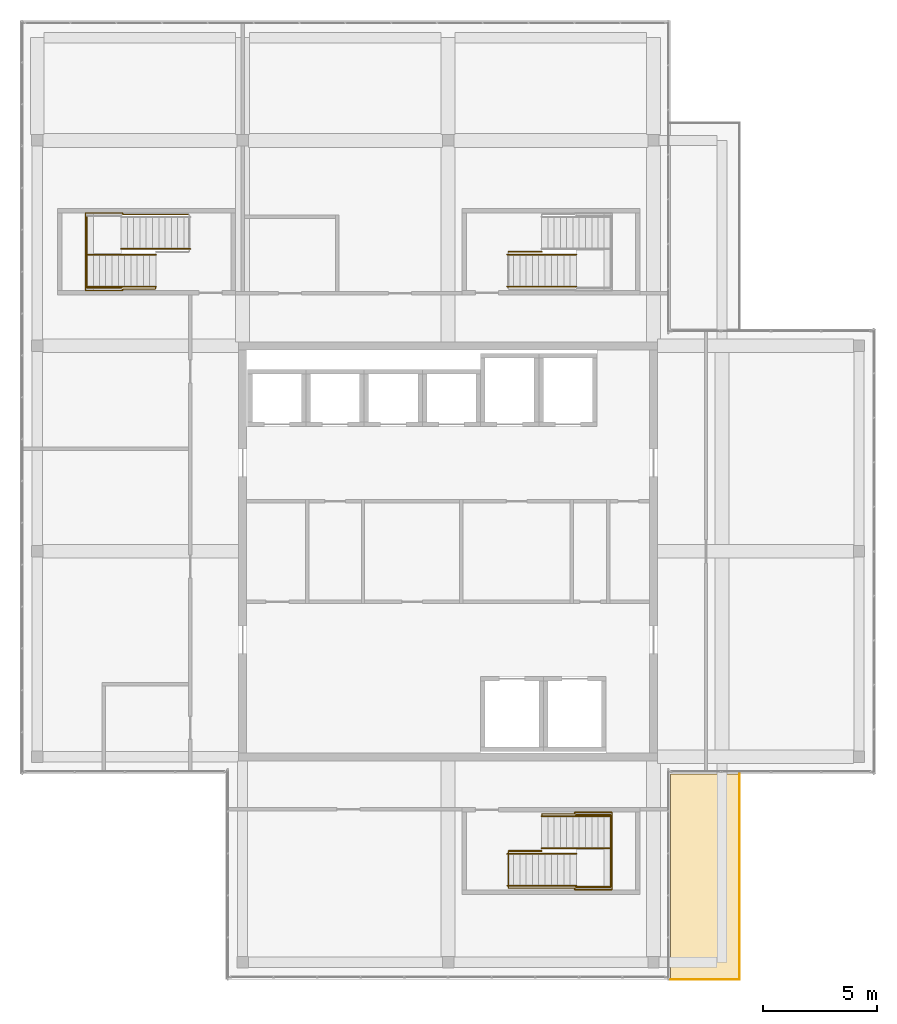
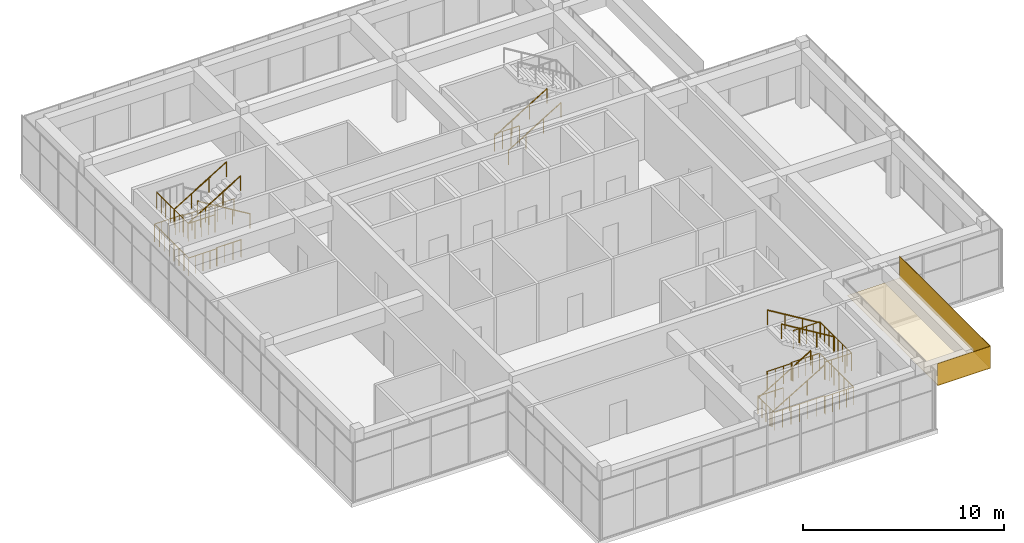
# One storey, part 35 of 36: 18 railings, 2 coverings.
"""IFC4 building model written with IfcOpenShell, lengths in metres."""

from ifc_helpers import new_model, si_unit, direction, frame, origin, origin_2d, place, context, subcontext, project, spatial, polyline, circle, outline, extrude, material, layer, layer_set, type_object, element, save


model = new_model("IFC4")

# Units and contexts
model_context = context("Model", 3, precision=1e-05, world=origin(), true_north=direction((0.0, 1.0)))
body_context = subcontext(model_context, "Body", "Model", "MODEL_VIEW")
ifc_project = project(units=[si_unit("LENGTHUNIT", "METRE"), si_unit("AREAUNIT", "SQUARE_METRE"), si_unit("VOLUMEUNIT", "CUBIC_METRE"), si_unit("PLANEANGLEUNIT", "RADIAN"), si_unit("MASSUNIT", "GRAM", prefix="KILO")], contexts=[model_context])

# Site, building, storey
site_placement = place(None, origin())
site = spatial("IfcSite", under=ifc_project, at=site_placement, CompositionType="ELEMENT")
building_placement = place(site_placement, origin())
building = spatial("IfcBuilding", under=site, at=building_placement, Name="Tuart Plaza Theatre", CompositionType="ELEMENT")
storey_placement = place(building_placement, frame((0.0, 0.0, 61.5)))
storey = spatial("IfcBuildingStorey", under=building, at=storey_placement, Name="L15", CompositionType="ELEMENT", Elevation=61.5)

# Coverings
ifc_material_1 = material(Name="Zinc")
ifc_layer_1 = layer(ifc_material_1, 0.02490234375)
ifc_layer_set_1 = layer_set([ifc_layer_1], Name="COVERING-ZINC-FASCIA25")
covering_type_1 = type_object("IfcCoveringType", Name="COVERING-ZINC-FASCIA25", PredefinedType="CLADDING", material=ifc_layer_set_1)
covering_1_placement = place(storey_placement, frame((0.0, 0.0, 2.655029296875)))
element("IfcCovering", 1, at=covering_1_placement, inside=storey, type_object=covering_type_1, Name="CL97", PredefinedType="CLADDING", context=body_context, shape_type="SweptSolid", body=[
    extrude(outline(polyline([(141.72509765625, 55.249755859375), (141.75, 55.249755859375), (141.75, 55.249755859375), (141.75, 55.249755859375), (141.75, 55.249755859375), (141.75, 55.25), (141.750244140625, 55.25), (141.750244140625, 55.25), (141.750244140625, 55.25), (141.750244140625, 55.25), (144.75, 55.25), (144.75, 64.249755859375), (144.77490234375, 64.249755859375), (144.77490234375, 55.22509765625), (141.72509765625, 55.22509765625), (141.72509765625, 55.249755859375)])), origin(), (0.0, 0.0, 1.0), 1.344970703125),
])
ifc_material_2 = material(Name="Zinc")
ifc_layer_2 = layer(ifc_material_2, 0.02490234375)
ifc_layer_set_2 = layer_set([ifc_layer_2], Name="COVERING-ZINC-SOFFIT25")
covering_type_2 = type_object("IfcCoveringType", Name="COVERING-ZINC-SOFFIT25", PredefinedType="CLADDING", material=ifc_layer_set_2)
covering_2_placement = place(storey_placement, frame((0.0, 0.0, 2.655029296875)))
element("IfcCovering", 2, at=covering_2_placement, inside=storey, type_object=covering_type_2, Name="CL96", PredefinedType="CLADDING", context=body_context, shape_type="SweptSolid", body=[
    extrude(outline(polyline([(144.75, 55.25), (141.75, 55.25), (141.75, 64.25), (144.75, 64.25), (144.75, 55.25)])), origin(), (0.0, 0.0, 1.0), 0.02490234375),
])

# Railings
ifc_material_3 = material(Name="Steel Grade C350L0", Category="steel")
railing_type_1 = type_object("IfcRailingType", Name="RAILING Guard 1100", PredefinedType="GUARDRAIL", material=ifc_material_3)
railing_1_placement = place(storey_placement, frame((134.655029296875, 60.875, 0.0)))
element("IfcRailing", 3, at=railing_1_placement, inside=storey, type_object=railing_type_1, Name="GR269", PredefinedType="GUARDRAIL", context=body_context, shape_type="SweptSolid", body=[
    extrude(circle(Radius=0.02490234375, at=origin_2d()), frame((0.0, 0.0, 1.0751953125), z_axis=(1.0, 0.0, 0.0), x_axis=(0.0, 1.0, 0.0)), (0.0, 0.0, 1.0), 1.455078125),
    extrude(circle(Radius=0.02001953125, at=origin_2d()), origin(), (0.0, 0.0, 1.0), 1.050048828125),
    extrude(circle(Radius=0.02001953125, at=origin_2d()), frame((0.485107421875, 0.0, 0.0)), (0.0, 0.0, 1.0), 1.050048828125),
    extrude(circle(Radius=0.02001953125, at=origin_2d()), frame((0.969970703125, 0.0, 0.0)), (0.0, 0.0, 1.0), 1.050048828125),
    extrude(circle(Radius=0.02001953125, at=origin_2d()), frame((1.455078125, 0.0, 0.0)), (0.0, 0.0, 1.0), 1.050048828125),
])
railing_2_placement = place(storey_placement, frame((136.114990234375, 62.455078125, 0.0)))
element("IfcRailing", 4, at=railing_2_placement, inside=storey, type_object=railing_type_1, Name="GR270", PredefinedType="GUARDRAIL", context=body_context, shape_type="SweptSolid", body=[
    extrude(circle(Radius=0.02490234375, at=origin_2d()), frame((0.0, 0.0, 1.0751953125), z_axis=(0.0, 1.0, 0.0), x_axis=(-1.0, 0.0, 0.0)), (0.0, 0.0, 1.0), 0.044921875),
    extrude(circle(Radius=0.02490234375, at=origin_2d()), frame((0.0, 0.044921875, 1.0751953125), z_axis=(1.0, 0.0, 0.0), x_axis=(0.0, 1.0, 0.0)), (0.0, 0.0, 1.0), 1.43505859375),
    extrude(circle(Radius=0.02490234375, at=origin_2d()), frame((1.43505859375, 0.044921875, 1.0751953125), z_axis=(0.0, 1.0, 0.0), x_axis=(-1.0, 0.0, 0.0)), (0.0, 0.0, 1.0), 0.074951171875),
    extrude(circle(Radius=0.02490234375, at=origin_2d()), frame((1.43505859375, 0.119873046875, 1.0751953125), z_axis=(1.0, 0.0, 0.0), x_axis=(0.0, 1.0, 0.0)), (0.0, 0.0, 1.0), 1.6298828125),
    extrude(circle(Radius=0.02490234375, at=origin_2d()), frame((3.06494140625, 0.119873046875, 1.0751953125), z_axis=(0.0, -1.0, 0.0), x_axis=(1.0, 0.0, 0.0)), (0.0, 0.0, 1.0), 3.39990234375),
    extrude(circle(Radius=0.02490234375, at=origin_2d()), frame((3.06494140625, -3.280029296875, 1.0751953125), z_axis=(-1.0, 0.0, 0.0), x_axis=(0.0, -1.0, 0.0)), (0.0, 0.0, 1.0), 1.6298828125),
    extrude(circle(Radius=0.02490234375, at=origin_2d()), frame((1.43505859375, -3.280029296875, 1.0751953125), z_axis=(0.0, 1.0, 0.0), x_axis=(-1.0, 0.0, 0.0)), (0.0, 0.0, 1.0), 0.074951171875),
    extrude(circle(Radius=0.02490234375, at=origin_2d()), frame((1.43505859375, -3.205078125, 1.0751953125), z_axis=(-1.0, 0.0, 0.0), x_axis=(0.0, -1.0, 0.0)), (0.0, 0.0, 1.0), 2.89501953125),
    extrude(circle(Radius=0.02490234375, at=origin_2d()), frame((-1.4599609375, -3.205078125, 1.0751953125), z_axis=(0.0, 1.0, 0.0), x_axis=(-1.0, 0.0, 0.0)), (0.0, 0.0, 1.0), 1.625),
    extrude(circle(Radius=0.02001953125, at=origin_2d()), origin(), (0.0, 0.0, 1.0), 1.050048828125),
    extrude(circle(Radius=0.02001953125, at=origin_2d()), frame((0.0, 0.044921875, 0.0)), (0.0, 0.0, 1.0), 1.050048828125),
    extrude(circle(Radius=0.02001953125, at=origin_2d()), frame((0.478271484375, 0.044921875, 0.0)), (0.0, 0.0, 1.0), 1.050048828125),
    extrude(circle(Radius=0.02001953125, at=origin_2d()), frame((0.956787109375, 0.044921875, 0.0)), (0.0, 0.0, 1.0), 1.050048828125),
    extrude(circle(Radius=0.02001953125, at=origin_2d()), frame((1.43505859375, 0.044921875, 0.0)), (0.0, 0.0, 1.0), 1.050048828125),
    extrude(circle(Radius=0.02001953125, at=origin_2d()), frame((1.43505859375, 0.119873046875, 0.0)), (0.0, 0.0, 1.0), 1.050048828125),
    extrude(circle(Radius=0.02001953125, at=origin_2d()), frame((1.842529296875, 0.119873046875, 0.0)), (0.0, 0.0, 1.0), 1.050048828125),
    extrude(circle(Radius=0.02001953125, at=origin_2d()), frame((2.25, 0.119873046875, 0.0)), (0.0, 0.0, 1.0), 1.050048828125),
    extrude(circle(Radius=0.02001953125, at=origin_2d()), frame((2.657470703125, 0.119873046875, 0.0)), (0.0, 0.0, 1.0), 1.050048828125),
    extrude(circle(Radius=0.02001953125, at=origin_2d()), frame((3.06494140625, 0.119873046875, 0.0)), (0.0, 0.0, 1.0), 1.050048828125),
    extrude(circle(Radius=0.02001953125, at=origin_2d()), frame((3.06494140625, -0.36572265625, 0.0)), (0.0, 0.0, 1.0), 1.050048828125),
    extrude(circle(Radius=0.02001953125, at=origin_2d()), frame((3.06494140625, -0.8515625, 0.0)), (0.0, 0.0, 1.0), 1.050048828125),
    extrude(circle(Radius=0.02001953125, at=origin_2d()), frame((3.06494140625, -1.337158203125, 0.0)), (0.0, 0.0, 1.0), 1.050048828125),
    extrude(circle(Radius=0.02001953125, at=origin_2d()), frame((3.06494140625, -1.822998046875, 0.0)), (0.0, 0.0, 1.0), 1.050048828125),
    extrude(circle(Radius=0.02001953125, at=origin_2d()), frame((3.06494140625, -2.30859375, 0.0)), (0.0, 0.0, 1.0), 1.050048828125),
    extrude(circle(Radius=0.02001953125, at=origin_2d()), frame((3.06494140625, -2.79443359375, 0.0)), (0.0, 0.0, 1.0), 1.050048828125),
    extrude(circle(Radius=0.02001953125, at=origin_2d()), frame((3.06494140625, -3.280029296875, 0.0)), (0.0, 0.0, 1.0), 1.050048828125),
    extrude(circle(Radius=0.02001953125, at=origin_2d()), frame((2.657470703125, -3.280029296875, 0.0)), (0.0, 0.0, 1.0), 1.050048828125),
    extrude(circle(Radius=0.02001953125, at=origin_2d()), frame((2.25, -3.280029296875, 0.0)), (0.0, 0.0, 1.0), 1.050048828125),
    extrude(circle(Radius=0.02001953125, at=origin_2d()), frame((1.842529296875, -3.280029296875, 0.0)), (0.0, 0.0, 1.0), 1.050048828125),
    extrude(circle(Radius=0.02001953125, at=origin_2d()), frame((1.43505859375, -3.280029296875, 0.0)), (0.0, 0.0, 1.0), 1.050048828125),
    extrude(circle(Radius=0.02001953125, at=origin_2d()), frame((1.43505859375, -3.205078125, 0.0)), (0.0, 0.0, 1.0), 1.050048828125),
    extrude(circle(Radius=0.02001953125, at=origin_2d()), frame((0.95263671875, -3.205078125, 0.0)), (0.0, 0.0, 1.0), 1.050048828125),
    extrude(circle(Radius=0.02001953125, at=origin_2d()), frame((0.469970703125, -3.205078125, 0.0)), (0.0, 0.0, 1.0), 1.050048828125),
    extrude(circle(Radius=0.02001953125, at=origin_2d()), frame((-0.012451171875, -3.205078125, 0.0)), (0.0, 0.0, 1.0), 1.050048828125),
    extrude(circle(Radius=0.02001953125, at=origin_2d()), frame((-0.494873046875, -3.205078125, 0.0)), (0.0, 0.0, 1.0), 1.050048828125),
    extrude(circle(Radius=0.02001953125, at=origin_2d()), frame((-0.9775390625, -3.205078125, 0.0)), (0.0, 0.0, 1.0), 1.050048828125),
    extrude(circle(Radius=0.02001953125, at=origin_2d()), frame((-1.4599609375, -3.205078125, 0.0)), (0.0, 0.0, 1.0), 1.050048828125),
    extrude(circle(Radius=0.02001953125, at=origin_2d()), frame((-1.4599609375, -2.798828125, 0.0)), (0.0, 0.0, 1.0), 1.050048828125),
    extrude(circle(Radius=0.02001953125, at=origin_2d()), frame((-1.4599609375, -2.392578125, 0.0)), (0.0, 0.0, 1.0), 1.050048828125),
    extrude(circle(Radius=0.02001953125, at=origin_2d()), frame((-1.4599609375, -1.986328125, 0.0)), (0.0, 0.0, 1.0), 1.050048828125),
    extrude(circle(Radius=0.02001953125, at=origin_2d()), frame((-1.4599609375, -1.580078125, 0.0)), (0.0, 0.0, 1.0), 1.050048828125),
])
railing_3_placement = place(storey_placement, frame((137.60009765625, 59.300048828125, 2.0)))
element("IfcRailing", 5, at=railing_3_placement, inside=storey, type_object=railing_type_1, Name="GR276", PredefinedType="GUARDRAIL", context=body_context, shape_type="SweptSolid", body=[
    extrude(circle(Radius=0.02490234375, at=origin_2d()), frame((0.0, 0.0, 1.0751953125), z_axis=(1.0, 0.0, 0.0), x_axis=(0.0, 1.0, 0.0)), (0.0, 0.0, 1.0), 1.52978515625),
    extrude(circle(Radius=0.02001953125, at=origin_2d()), origin(), (0.0, 0.0, 1.0), 1.050048828125),
    extrude(circle(Radius=0.02001953125, at=origin_2d()), frame((0.38232421875, 0.0, 0.0)), (0.0, 0.0, 1.0), 1.050048828125),
    extrude(circle(Radius=0.02001953125, at=origin_2d()), frame((0.764892578125, 0.0, 0.0)), (0.0, 0.0, 1.0), 1.050048828125),
    extrude(circle(Radius=0.02001953125, at=origin_2d()), frame((1.1474609375, 0.0, 0.0)), (0.0, 0.0, 1.0), 1.050048828125),
    extrude(circle(Radius=0.02001953125, at=origin_2d()), frame((1.52978515625, 0.0, 0.0)), (0.0, 0.0, 1.0), 1.050048828125),
])
railing_4_placement = place(storey_placement, frame((139.1298828125, 59.300048828125, 2.0)))
element("IfcRailing", 6, at=railing_4_placement, inside=storey, type_object=railing_type_1, Name="GR277", PredefinedType="GUARDRAIL", context=body_context, shape_type="SweptSolid", body=[
    extrude(circle(Radius=0.02490234375, at=origin_2d()), frame((0.0, 0.0, 1.0751953125), z_axis=(0.0, 1.0, 0.0), x_axis=(-1.0, 0.0, 0.0)), (0.0, 0.0, 1.0), 3.14990234375),
    extrude(circle(Radius=0.02001953125, at=origin_2d()), origin(), (0.0, 0.0, 1.0), 1.050048828125),
    extrude(circle(Radius=0.02001953125, at=origin_2d()), frame((0.0, 0.449951171875, 0.0)), (0.0, 0.0, 1.0), 1.050048828125),
    extrude(circle(Radius=0.02001953125, at=origin_2d()), frame((0.0, 0.89990234375, 0.0)), (0.0, 0.0, 1.0), 1.050048828125),
    extrude(circle(Radius=0.02001953125, at=origin_2d()), frame((0.0, 1.349853515625, 0.0)), (0.0, 0.0, 1.0), 1.050048828125),
    extrude(circle(Radius=0.02001953125, at=origin_2d()), frame((0.0, 1.800048828125, 0.0)), (0.0, 0.0, 1.0), 1.050048828125),
    extrude(circle(Radius=0.02001953125, at=origin_2d()), frame((0.0, 2.25, 0.0)), (0.0, 0.0, 1.0), 1.050048828125),
    extrude(circle(Radius=0.02001953125, at=origin_2d()), frame((0.0, 2.699951171875, 0.0)), (0.0, 0.0, 1.0), 1.050048828125),
    extrude(circle(Radius=0.02001953125, at=origin_2d()), frame((0.0, 3.14990234375, 0.0)), (0.0, 0.0, 1.0), 1.050048828125),
])
railing_5_placement = place(storey_placement, frame((139.1298828125, 62.449951171875, 2.0)))
element("IfcRailing", 7, at=railing_5_placement, inside=storey, type_object=railing_type_1, Name="GR278", PredefinedType="GUARDRAIL", context=body_context, shape_type="SweptSolid", body=[
    extrude(circle(Radius=0.02490234375, at=origin_2d()), frame((0.0, 0.0, 1.0751953125), z_axis=(-1.0, 0.0, 0.0), x_axis=(0.0, -1.0, 0.0)), (0.0, 0.0, 1.0), 1.52978515625),
    extrude(circle(Radius=0.02001953125, at=origin_2d()), origin(), (0.0, 0.0, 1.0), 1.050048828125),
    extrude(circle(Radius=0.02001953125, at=origin_2d()), frame((-0.38232421875, 0.0, 0.0)), (0.0, 0.0, 1.0), 1.050048828125),
    extrude(circle(Radius=0.02001953125, at=origin_2d()), frame((-0.764892578125, 0.0, 0.0)), (0.0, 0.0, 1.0), 1.050048828125),
    extrude(circle(Radius=0.02001953125, at=origin_2d()), frame((-1.1474609375, 0.0, 0.0)), (0.0, 0.0, 1.0), 1.050048828125),
    extrude(circle(Radius=0.02001953125, at=origin_2d()), frame((-1.52978515625, 0.0, 0.0)), (0.0, 0.0, 1.0), 1.050048828125),
])
railing_6_placement = place(storey_placement, frame((134.655029296875, 87.125, 0.0)))
element("IfcRailing", 8, at=railing_6_placement, inside=storey, type_object=railing_type_1, Name="GR348", PredefinedType="GUARDRAIL", context=body_context, shape_type="SweptSolid", body=[
    extrude(circle(Radius=0.02490234375, at=origin_2d()), frame((0.0, 0.0, 1.0751953125), z_axis=(1.0, 0.0, 0.0), x_axis=(0.0, 1.0, 0.0)), (0.0, 0.0, 1.0), 1.455078125),
    extrude(circle(Radius=0.02001953125, at=origin_2d()), origin(), (0.0, 0.0, 1.0), 1.050048828125),
    extrude(circle(Radius=0.02001953125, at=origin_2d()), frame((0.485107421875, 0.0, 0.0)), (0.0, 0.0, 1.0), 1.050048828125),
    extrude(circle(Radius=0.02001953125, at=origin_2d()), frame((0.969970703125, 0.0, 0.0)), (0.0, 0.0, 1.0), 1.050048828125),
    extrude(circle(Radius=0.02001953125, at=origin_2d()), frame((1.455078125, 0.0, 0.0)), (0.0, 0.0, 1.0), 1.050048828125),
])
railing_7_placement = place(storey_placement, frame((119.18505859375, 85.544921875, 0.0)))
element("IfcRailing", 9, at=railing_7_placement, inside=storey, type_object=railing_type_1, Name="GR428", PredefinedType="GUARDRAIL", context=body_context, shape_type="SweptSolid", body=[
    extrude(circle(Radius=0.02490234375, at=origin_2d()), frame((0.0, 0.0, 1.0751953125), z_axis=(0.0, -1.0, 0.0), x_axis=(1.0, 0.0, 0.0)), (0.0, 0.0, 1.0), 0.044921875),
    extrude(circle(Radius=0.02490234375, at=origin_2d()), frame((0.0, -0.044921875, 1.0751953125), z_axis=(-1.0, 0.0, 0.0), x_axis=(0.0, -1.0, 0.0)), (0.0, 0.0, 1.0), 1.43505859375),
    extrude(circle(Radius=0.02490234375, at=origin_2d()), frame((-1.43505859375, -0.044921875, 1.0751953125), z_axis=(0.0, -1.0, 0.0), x_axis=(1.0, 0.0, 0.0)), (0.0, 0.0, 1.0), 0.074951171875),
    extrude(circle(Radius=0.02490234375, at=origin_2d()), frame((-1.43505859375, -0.119873046875, 1.0751953125), z_axis=(-1.0, 0.0, 0.0), x_axis=(0.0, -1.0, 0.0)), (0.0, 0.0, 1.0), 1.6298828125),
    extrude(circle(Radius=0.02490234375, at=origin_2d()), frame((-3.06494140625, -0.119873046875, 1.0751953125), z_axis=(0.0, 1.0, 0.0), x_axis=(-1.0, 0.0, 0.0)), (0.0, 0.0, 1.0), 3.39990234375),
    extrude(circle(Radius=0.02490234375, at=origin_2d()), frame((-3.06494140625, 3.280029296875, 1.0751953125), z_axis=(1.0, 0.0, 0.0), x_axis=(0.0, 1.0, 0.0)), (0.0, 0.0, 1.0), 1.6298828125),
    extrude(circle(Radius=0.02490234375, at=origin_2d()), frame((-1.43505859375, 3.280029296875, 1.0751953125), z_axis=(0.0, -1.0, 0.0), x_axis=(1.0, 0.0, 0.0)), (0.0, 0.0, 1.0), 0.074951171875),
    extrude(circle(Radius=0.02490234375, at=origin_2d()), frame((-1.43505859375, 3.205078125, 1.0751953125), z_axis=(1.0, 0.0, 0.0), x_axis=(0.0, 1.0, 0.0)), (0.0, 0.0, 1.0), 2.89501953125),
    extrude(circle(Radius=0.02001953125, at=origin_2d()), origin(), (0.0, 0.0, 1.0), 1.050048828125),
    extrude(circle(Radius=0.02001953125, at=origin_2d()), frame((0.0, -0.044921875, 0.0)), (0.0, 0.0, 1.0), 1.050048828125),
    extrude(circle(Radius=0.02001953125, at=origin_2d()), frame((-0.478271484375, -0.044921875, 0.0)), (0.0, 0.0, 1.0), 1.050048828125),
    extrude(circle(Radius=0.02001953125, at=origin_2d()), frame((-0.956787109375, -0.044921875, 0.0)), (0.0, 0.0, 1.0), 1.050048828125),
    extrude(circle(Radius=0.02001953125, at=origin_2d()), frame((-1.43505859375, -0.044921875, 0.0)), (0.0, 0.0, 1.0), 1.050048828125),
    extrude(circle(Radius=0.02001953125, at=origin_2d()), frame((-1.43505859375, -0.119873046875, 0.0)), (0.0, 0.0, 1.0), 1.050048828125),
    extrude(circle(Radius=0.02001953125, at=origin_2d()), frame((-1.842529296875, -0.119873046875, 0.0)), (0.0, 0.0, 1.0), 1.050048828125),
    extrude(circle(Radius=0.02001953125, at=origin_2d()), frame((-2.25, -0.119873046875, 0.0)), (0.0, 0.0, 1.0), 1.050048828125),
    extrude(circle(Radius=0.02001953125, at=origin_2d()), frame((-2.657470703125, -0.119873046875, 0.0)), (0.0, 0.0, 1.0), 1.050048828125),
    extrude(circle(Radius=0.02001953125, at=origin_2d()), frame((-3.06494140625, -0.119873046875, 0.0)), (0.0, 0.0, 1.0), 1.050048828125),
    extrude(circle(Radius=0.02001953125, at=origin_2d()), frame((-3.06494140625, 0.36572265625, 0.0)), (0.0, 0.0, 1.0), 1.050048828125),
    extrude(circle(Radius=0.02001953125, at=origin_2d()), frame((-3.06494140625, 0.8515625, 0.0)), (0.0, 0.0, 1.0), 1.050048828125),
    extrude(circle(Radius=0.02001953125, at=origin_2d()), frame((-3.06494140625, 1.337158203125, 0.0)), (0.0, 0.0, 1.0), 1.050048828125),
    extrude(circle(Radius=0.02001953125, at=origin_2d()), frame((-3.06494140625, 1.822998046875, 0.0)), (0.0, 0.0, 1.0), 1.050048828125),
    extrude(circle(Radius=0.02001953125, at=origin_2d()), frame((-3.06494140625, 2.30859375, 0.0)), (0.0, 0.0, 1.0), 1.050048828125),
    extrude(circle(Radius=0.02001953125, at=origin_2d()), frame((-3.06494140625, 2.79443359375, 0.0)), (0.0, 0.0, 1.0), 1.050048828125),
    extrude(circle(Radius=0.02001953125, at=origin_2d()), frame((-3.06494140625, 3.280029296875, 0.0)), (0.0, 0.0, 1.0), 1.050048828125),
    extrude(circle(Radius=0.02001953125, at=origin_2d()), frame((-2.657470703125, 3.280029296875, 0.0)), (0.0, 0.0, 1.0), 1.050048828125),
    extrude(circle(Radius=0.02001953125, at=origin_2d()), frame((-2.25, 3.280029296875, 0.0)), (0.0, 0.0, 1.0), 1.050048828125),
    extrude(circle(Radius=0.02001953125, at=origin_2d()), frame((-1.842529296875, 3.280029296875, 0.0)), (0.0, 0.0, 1.0), 1.050048828125),
    extrude(circle(Radius=0.02001953125, at=origin_2d()), frame((-1.43505859375, 3.280029296875, 0.0)), (0.0, 0.0, 1.0), 1.050048828125),
    extrude(circle(Radius=0.02001953125, at=origin_2d()), frame((-1.43505859375, 3.205078125, 0.0)), (0.0, 0.0, 1.0), 1.050048828125),
    extrude(circle(Radius=0.02001953125, at=origin_2d()), frame((-0.95263671875, 3.205078125, 0.0)), (0.0, 0.0, 1.0), 1.050048828125),
    extrude(circle(Radius=0.02001953125, at=origin_2d()), frame((-0.469970703125, 3.205078125, 0.0)), (0.0, 0.0, 1.0), 1.050048828125),
    extrude(circle(Radius=0.02001953125, at=origin_2d()), frame((0.012451171875, 3.205078125, 0.0)), (0.0, 0.0, 1.0), 1.050048828125),
    extrude(circle(Radius=0.02001953125, at=origin_2d()), frame((0.494873046875, 3.205078125, 0.0)), (0.0, 0.0, 1.0), 1.050048828125),
    extrude(circle(Radius=0.02001953125, at=origin_2d()), frame((0.9775390625, 3.205078125, 0.0)), (0.0, 0.0, 1.0), 1.050048828125),
    extrude(circle(Radius=0.02001953125, at=origin_2d()), frame((1.4599609375, 3.205078125, 0.0)), (0.0, 0.0, 1.0), 1.050048828125),
])
railing_8_placement = place(storey_placement, frame((116.169921875, 88.699951171875, 2.0)))
element("IfcRailing", 10, at=railing_8_placement, inside=storey, type_object=railing_type_1, Name="GR435", PredefinedType="GUARDRAIL", context=body_context, shape_type="SweptSolid", body=[
    extrude(circle(Radius=0.02490234375, at=origin_2d()), frame((0.0, 0.0, 1.0751953125), z_axis=(0.0, -1.0, 0.0), x_axis=(1.0, 0.0, 0.0)), (0.0, 0.0, 1.0), 3.14990234375),
    extrude(circle(Radius=0.02001953125, at=origin_2d()), origin(), (0.0, 0.0, 1.0), 1.050048828125),
    extrude(circle(Radius=0.02001953125, at=origin_2d()), frame((0.0, -0.449951171875, 0.0)), (0.0, 0.0, 1.0), 1.050048828125),
    extrude(circle(Radius=0.02001953125, at=origin_2d()), frame((0.0, -0.89990234375, 0.0)), (0.0, 0.0, 1.0), 1.050048828125),
    extrude(circle(Radius=0.02001953125, at=origin_2d()), frame((0.0, -1.349853515625, 0.0)), (0.0, 0.0, 1.0), 1.050048828125),
    extrude(circle(Radius=0.02001953125, at=origin_2d()), frame((0.0, -1.800048828125, 0.0)), (0.0, 0.0, 1.0), 1.050048828125),
    extrude(circle(Radius=0.02001953125, at=origin_2d()), frame((0.0, -2.25, 0.0)), (0.0, 0.0, 1.0), 1.050048828125),
    extrude(circle(Radius=0.02001953125, at=origin_2d()), frame((0.0, -2.699951171875, 0.0)), (0.0, 0.0, 1.0), 1.050048828125),
    extrude(circle(Radius=0.02001953125, at=origin_2d()), frame((0.0, -3.14990234375, 0.0)), (0.0, 0.0, 1.0), 1.050048828125),
])
railing_9_placement = place(storey_placement, frame((116.169921875, 85.550048828125, 2.0)))
element("IfcRailing", 11, at=railing_9_placement, inside=storey, type_object=railing_type_1, Name="GR436", PredefinedType="GUARDRAIL", context=body_context, shape_type="SweptSolid", body=[
    extrude(circle(Radius=0.02490234375, at=origin_2d()), frame((0.0, 0.0, 1.0751953125), z_axis=(1.0, 0.0, 0.0), x_axis=(0.0, 1.0, 0.0)), (0.0, 0.0, 1.0), 1.530029296875),
    extrude(circle(Radius=0.02001953125, at=origin_2d()), origin(), (0.0, 0.0, 1.0), 1.050048828125),
    extrude(circle(Radius=0.02001953125, at=origin_2d()), frame((0.382568359375, 0.0, 0.0)), (0.0, 0.0, 1.0), 1.050048828125),
    extrude(circle(Radius=0.02001953125, at=origin_2d()), frame((0.76513671875, 0.0, 0.0)), (0.0, 0.0, 1.0), 1.050048828125),
    extrude(circle(Radius=0.02001953125, at=origin_2d()), frame((1.1474609375, 0.0, 0.0)), (0.0, 0.0, 1.0), 1.050048828125),
    extrude(circle(Radius=0.02001953125, at=origin_2d()), frame((1.530029296875, 0.0, 0.0)), (0.0, 0.0, 1.0), 1.050048828125),
])
ifc_material_4 = material(Name="Steel Grade C350L0", Category="steel")
railing_type_2 = type_object("IfcRailingType", Name="RAILING Handrail 900", PredefinedType="HANDRAIL", material=ifc_material_4)
for number, where, name in (
    (12, (134.594970703125, 60.75, 0.166748046875), "HR175"),
    (13, (134.594970703125, 59.35009765625, 0.166748046875), "HR176"),
):
    element("IfcRailing", number, at=place(storey_placement, frame(where)), inside=storey, type_object=railing_type_2, Name=name, PredefinedType="HANDRAIL", context=body_context, shape_type="SweptSolid", body=[
        extrude(circle(Radius=0.0224609375, at=origin_2d()), frame((0.0, 0.0, 0.87744140625), z_axis=(0.855219153138, 0.0, 0.518266533848), x_axis=(0.0, 1.0, 0.0)), (0.0, 0.0, 1.0), 3.537353515625),
        extrude(circle(Radius=0.01513671875, at=origin_2d()), origin(), (0.0, 0.0, 1.0), 0.85498046875),
        extrude(circle(Radius=0.01513671875, at=origin_2d()), frame((1.00830078125, 0.0, 0.611083984375)), (0.0, 0.0, 1.0), 0.85498046875),
        extrude(circle(Radius=0.01513671875, at=origin_2d()), frame((2.016845703125, 0.0, 1.22216796875)), (0.0, 0.0, 1.0), 0.85498046875),
        extrude(circle(Radius=0.01513671875, at=origin_2d()), frame((3.025146484375, 0.0, 1.833251953125)), (0.0, 0.0, 1.0), 0.85498046875),
    ])
for number, where, name in (
    (14, (139.1201171875, 61.0, 2.166748046875), "HR177"),
    (15, (139.1201171875, 62.39990234375, 2.166748046875), "HR178"),
):
    element("IfcRailing", number, at=place(storey_placement, frame(where)), inside=storey, type_object=railing_type_2, Name=name, PredefinedType="HANDRAIL", context=body_context, shape_type="SweptSolid", body=[
        extrude(circle(Radius=0.0224609375, at=origin_2d()), frame((0.0, 0.0, 0.87744140625), z_axis=(-0.855219153138, 0.0, 0.518266533848), x_axis=(0.0, -1.0, 0.0)), (0.0, 0.0, 1.0), 3.537353515625),
        extrude(circle(Radius=0.01513671875, at=origin_2d()), origin(), (0.0, 0.0, 1.0), 0.85498046875),
        extrude(circle(Radius=0.01513671875, at=origin_2d()), frame((-1.00830078125, 0.0, 0.611083984375)), (0.0, 0.0, 1.0), 0.85498046875),
        extrude(circle(Radius=0.01513671875, at=origin_2d()), frame((-2.016845703125, 0.0, 1.22216796875)), (0.0, 0.0, 1.0), 0.85498046875),
        extrude(circle(Radius=0.01513671875, at=origin_2d()), frame((-3.025146484375, 0.0, 1.833251953125)), (0.0, 0.0, 1.0), 0.85498046875),
    ])
for number, where, name in (
    (16, (134.594970703125, 87.0, 0.166748046875), "HR239"),
    (17, (134.594970703125, 85.60009765625, 0.166748046875), "HR240"),
):
    element("IfcRailing", number, at=place(storey_placement, frame(where)), inside=storey, type_object=railing_type_2, Name=name, PredefinedType="HANDRAIL", context=body_context, shape_type="SweptSolid", body=[
        extrude(circle(Radius=0.0224609375, at=origin_2d()), frame((0.0, 0.0, 0.87744140625), z_axis=(0.855219153138, 0.0, 0.518266533848), x_axis=(0.0, 1.0, 0.0)), (0.0, 0.0, 1.0), 3.537353515625),
        extrude(circle(Radius=0.01513671875, at=origin_2d()), origin(), (0.0, 0.0, 1.0), 0.85498046875),
        extrude(circle(Radius=0.01513671875, at=origin_2d()), frame((1.00830078125, 0.0, 0.611083984375)), (0.0, 0.0, 1.0), 0.85498046875),
        extrude(circle(Radius=0.01513671875, at=origin_2d()), frame((2.016845703125, 0.0, 1.22216796875)), (0.0, 0.0, 1.0), 0.85498046875),
        extrude(circle(Radius=0.01513671875, at=origin_2d()), frame((3.025146484375, 0.0, 1.833251953125)), (0.0, 0.0, 1.0), 0.85498046875),
    ])
railing_10_placement = place(storey_placement, frame((120.705078125, 87.25, 0.166748046875)))
element("IfcRailing", 18, at=railing_10_placement, inside=storey, type_object=railing_type_2, Name="HR303", PredefinedType="HANDRAIL", context=body_context, shape_type="SweptSolid", body=[
    extrude(circle(Radius=0.0224609375, at=origin_2d()), frame((0.0, 0.0, 0.87744140625), z_axis=(-0.855219153138, 0.0, 0.518266533848), x_axis=(0.0, -1.0, 0.0)), (0.0, 0.0, 1.0), 3.537353515625),
    extrude(circle(Radius=0.01513671875, at=origin_2d()), origin(), (0.0, 0.0, 1.0), 0.85498046875),
    extrude(circle(Radius=0.01513671875, at=origin_2d()), frame((-1.00830078125, 0.0, 0.611083984375)), (0.0, 0.0, 1.0), 0.85498046875),
    extrude(circle(Radius=0.01513671875, at=origin_2d()), frame((-2.016845703125, 0.0, 1.22216796875)), (0.0, 0.0, 1.0), 0.85498046875),
    extrude(circle(Radius=0.01513671875, at=origin_2d()), frame((-3.025146484375, 0.0, 1.833251953125)), (0.0, 0.0, 1.0), 0.85498046875),
])
for number, where, name in (
    (19, (116.179931640625, 87.0, 2.166748046875), "HR305"),
    (20, (116.179931640625, 85.60009765625, 2.166748046875), "HR306"),
):
    element("IfcRailing", number, at=place(storey_placement, frame(where)), inside=storey, type_object=railing_type_2, Name=name, PredefinedType="HANDRAIL", context=body_context, shape_type="SweptSolid", body=[
        extrude(circle(Radius=0.0224609375, at=origin_2d()), frame((0.0, 0.0, 0.87744140625), z_axis=(0.855219153138, 0.0, 0.518266533848), x_axis=(0.0, 1.0, 0.0)), (0.0, 0.0, 1.0), 3.537353515625),
        extrude(circle(Radius=0.01513671875, at=origin_2d()), origin(), (0.0, 0.0, 1.0), 0.85498046875),
        extrude(circle(Radius=0.01513671875, at=origin_2d()), frame((1.00830078125, 0.0, 0.611083984375)), (0.0, 0.0, 1.0), 0.85498046875),
        extrude(circle(Radius=0.01513671875, at=origin_2d()), frame((2.016845703125, 0.0, 1.22216796875)), (0.0, 0.0, 1.0), 0.85498046875),
        extrude(circle(Radius=0.01513671875, at=origin_2d()), frame((3.025146484375, 0.0, 1.833251953125)), (0.0, 0.0, 1.0), 0.85498046875),
    ])

save(model, "model.ifc")
